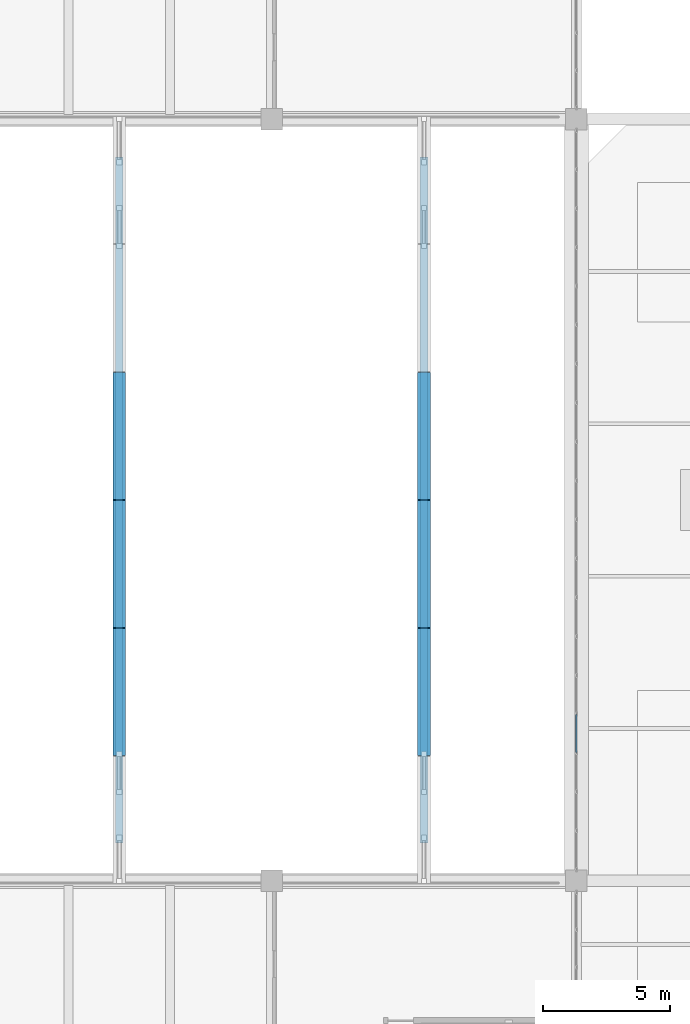
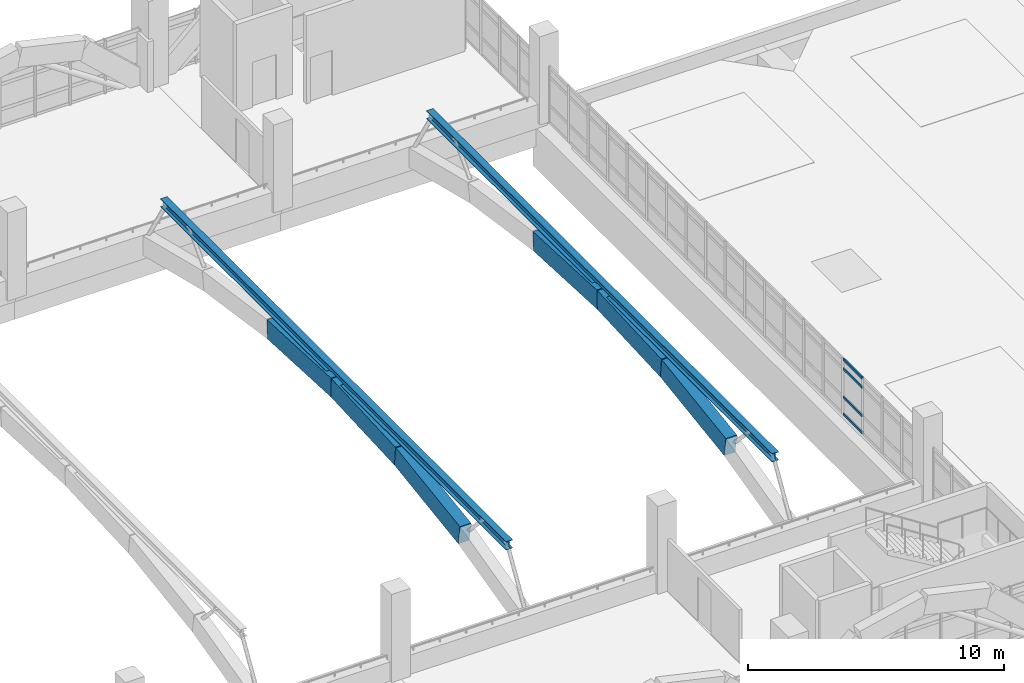
# One storey, part 42 of 161: 6 beams, 6 members, 1 element without a shape of its own.
"""IFC4 building model written with IfcOpenShell, lengths in metres."""

from ifc_helpers import new_model, si_unit, direction, frame, origin, origin_2d, place, context, subcontext, project, spatial, rectangle, hollow_rectangle, i_section, extrude, material, layer, layer_set, material_profile, profile_set, type_object, element, aggregate, save


model = new_model("IFC4")

# Units and contexts
model_context = context("Model", 3, precision=1e-05, world=origin(), true_north=direction((0.0, 1.0)))
body_context = subcontext(model_context, "Body", "Model", "MODEL_VIEW")
ifc_project = project(units=[si_unit("LENGTHUNIT", "METRE"), si_unit("AREAUNIT", "SQUARE_METRE"), si_unit("VOLUMEUNIT", "CUBIC_METRE"), si_unit("PLANEANGLEUNIT", "RADIAN"), si_unit("MASSUNIT", "GRAM", prefix="KILO")], contexts=[model_context])

# Site, building, storey
site_placement = place(None, origin())
site = spatial("IfcSite", under=ifc_project, at=site_placement, CompositionType="ELEMENT")
building_placement = place(site_placement, origin())
building = spatial("IfcBuilding", under=site, at=building_placement, Name="Mersad Railyard Sports Hall", CompositionType="ELEMENT")
storey_placement = place(building_placement, frame((0.0, 0.0, 4.800048828125)))
storey = spatial("IfcBuildingStorey", under=building, at=storey_placement, Name="L01", CompositionType="ELEMENT", Elevation=4.800048828125)

# Curtain wall, members
ifc_material_1 = material(Name="Aluminium 6063-T6", Category="aluminium")
ifc_layer = layer(ifc_material_1, 0.159912109375)
ifc_layer_set = layer_set([ifc_layer], Name="Aluminium 6063-T6")
curtain_wall_type = type_object("IfcCurtainWallType", Name="ARC-CW-CW05", PredefinedType="USERDEFINED", material=ifc_layer_set)
curtain_wall_placement = place(storey_placement, origin())
curtain_wall = element("IfcCurtainWall", 1, at=curtain_wall_placement, inside=storey, type_object=curtain_wall_type, Name="Curtain wall CW05-0027", ObjectType="CURTAIN WALL", PredefinedType="USERDEFINED")
ifc_material_profile_1 = material_profile(ifc_material_1, hollow_rectangle(XDim=0.06005859375, YDim=0.1201171875, WallThickness=0.00390625, at=origin_2d()), Name="AL TRANSOM 60x120x4")
ifc_profile_set_1 = profile_set([ifc_material_profile_1], Name="Aluminium 6063-T6")
member_type_1 = type_object("IfcMemberType", Name="ARC-CW-TRN01", PredefinedType="USERDEFINED", material=ifc_profile_set_1)
member_1_placement = place(storey_placement, frame((91.0, 20.053466796875, 0.0400390625), z_axis=(0.0, -1.0, 0.0), x_axis=(1.0, 0.0, 0.0)))
member_1 = element("IfcMember", 2, at=member_1_placement, type_object=member_type_1, Name="CW05 Transom 1-16", ObjectType="TRANSOM", PredefinedType="USERDEFINED", context=body_context, shape_type="SweptSolid", body=[
    extrude(hollow_rectangle(XDim=0.06005859375, YDim=0.1201171875, WallThickness=0.00390625, at=origin_2d()), origin(), (0.0, 0.0, 1.0), 1.4921875),
])
member_2_placement = place(storey_placement, frame((91.0, 20.053466796875, 0.849853515625), z_axis=(0.0, -1.0, 0.0), x_axis=(1.0, 0.0, 0.0)))
member_2 = element("IfcMember", 3, at=member_2_placement, type_object=member_type_1, Name="CW05 Transom 2-16", ObjectType="TRANSOM", PredefinedType="USERDEFINED", context=body_context, shape_type="SweptSolid", body=[
    extrude(hollow_rectangle(XDim=0.06005859375, YDim=0.1201171875, WallThickness=0.00390625, at=origin_2d()), origin(), (0.0, 0.0, 1.0), 1.4921875),
])
member_3_placement = place(storey_placement, frame((91.0, 20.053466796875, 2.199951171875), z_axis=(0.0, -1.0, 0.0), x_axis=(1.0, 0.0, 0.0)))
member_3 = element("IfcMember", 4, at=member_3_placement, type_object=member_type_1, Name="CW05 Transom 3-16", ObjectType="TRANSOM", PredefinedType="USERDEFINED", context=body_context, shape_type="SweptSolid", body=[
    extrude(hollow_rectangle(XDim=0.06005859375, YDim=0.1201171875, WallThickness=0.00390625, at=origin_2d()), origin(), (0.0, 0.0, 1.0), 1.4921875),
])
member_4_placement = place(storey_placement, frame((91.0, 20.053466796875, 2.639892578125), z_axis=(0.0, -1.0, 0.0), x_axis=(1.0, 0.0, 0.0)))
member_4 = element("IfcMember", 5, at=member_4_placement, type_object=member_type_1, Name="CW05 Transom 4-16", ObjectType="TRANSOM", PredefinedType="USERDEFINED", context=body_context, shape_type="SweptSolid", body=[
    extrude(hollow_rectangle(XDim=0.06005859375, YDim=0.1201171875, WallThickness=0.00390625, at=origin_2d()), origin(), (0.0, 0.0, 1.0), 1.4921875),
])
aggregate(curtain_wall, [member_1, member_2, member_3, member_4])

# Beams
ifc_material_2 = material(Name="Architectural concrete C50/60", Category="concrete")
ifc_material_profile_2 = material_profile(ifc_material_2, rectangle(XDim=0.5, YDim=0.89990234375, at=origin_2d()), Name="VR 500x900")
ifc_profile_set_2 = profile_set([ifc_material_profile_2], Name="Architectural concrete C50/60")
beam_type = type_object("IfcBeamType", Name="STR-BM-VR02", PredefinedType="BEAM", material=ifc_profile_set_2)
beam_1_placement = place(storey_placement, frame((73.0, 18.5, 1.579345703125), z_axis=(0.0, 0.989516876333, 0.144417282391), x_axis=(-1.0, 0.0, 0.0)))
element("IfcBeam", 6, at=beam_1_placement, inside=storey, type_object=beam_type, Name="Beam VR02-0547", PredefinedType="BEAM", context=body_context, shape_type="SweptSolid", body=[
    extrude(rectangle(XDim=0.5, YDim=0.89990234375, at=origin_2d()), origin(), (0.0, 0.0, 1.0), 5.052978515625),
])
for number, where, z_axis, x_axis, name in (
    (7, (73.0, 23.5, 2.30908203125), (0.0, 0.998840719075, 0.048137489733), (-1.0, 0.0, 0.0), "Beam VR02-0548"),
    (8, (73.0, 28.5, 2.550048828125), (0.0, 0.998840719075, -0.048137489733), (-1.0, 0.0, 0.0), "Beam VR02-0549"),
):
    element("IfcBeam", number, at=place(storey_placement, frame(where, z_axis=z_axis, x_axis=x_axis)), inside=storey, type_object=beam_type, Name=name, PredefinedType="BEAM", context=body_context, shape_type="SweptSolid", body=[
        extrude(rectangle(XDim=0.5, YDim=0.89990234375, at=origin_2d()), origin(), (0.0, 0.0, 1.0), 5.005859375),
    ])
beam_2_placement = place(storey_placement, frame((85.0, 18.5, 1.579345703125), z_axis=(0.0, 0.989516876333, 0.144417282391), x_axis=(-1.0, 0.0, 0.0)))
element("IfcBeam", 9, at=beam_2_placement, inside=storey, type_object=beam_type, Name="Beam VR02-0555", PredefinedType="BEAM", context=body_context, shape_type="SweptSolid", body=[
    extrude(rectangle(XDim=0.5, YDim=0.89990234375, at=origin_2d()), origin(), (0.0, 0.0, 1.0), 5.052978515625),
])
for number, where, z_axis, x_axis, name in (
    (10, (85.0, 23.5, 2.30908203125), (0.0, 0.998840719075, 0.048137489733), (-1.0, 0.0, 0.0), "Beam VR02-0556"),
    (11, (85.0, 28.5, 2.550048828125), (0.0, 0.998840719075, -0.048137489733), (-1.0, 0.0, 0.0), "Beam VR02-0557"),
):
    element("IfcBeam", number, at=place(storey_placement, frame(where, z_axis=z_axis, x_axis=x_axis)), inside=storey, type_object=beam_type, Name=name, PredefinedType="BEAM", context=body_context, shape_type="SweptSolid", body=[
        extrude(rectangle(XDim=0.5, YDim=0.89990234375, at=origin_2d()), origin(), (0.0, 0.0, 1.0), 5.005859375),
    ])

# Members
ifc_material_3 = material(Name="Steel S355", Category="steel")
ifc_material_profile_3 = material_profile(ifc_material_3, i_section(OverallWidth=0.300048828125, OverallDepth=0.39990234375, WebThickness=0.013427734375, FlangeThickness=0.02392578125, at=origin_2d()), Name="HEB 400")
ifc_profile_set_3 = profile_set([ifc_material_profile_3], Name="Steel S355")
member_type_2 = type_object("IfcMemberType", Name="STR-MEM-CH03", PredefinedType="CHORD", material=ifc_profile_set_3)
for number, where, z_axis, x_axis, name in (
    (12, (73.0, 15.0, 3.14990234375), (0.0, 1.0, 0.0), (-1.0, 0.0, 0.0), "Structural member CH03-0084"),
    (13, (85.0, 15.0, 3.14990234375), (0.0, 1.0, 0.0), (-1.0, 0.0, 0.0), "Structural member CH03-0089"),
):
    element("IfcMember", number, at=place(storey_placement, frame(where, z_axis=z_axis, x_axis=x_axis)), inside=storey, type_object=member_type_2, Name=name, PredefinedType="CHORD", context=body_context, shape_type="SweptSolid", body=[
        extrude(i_section(OverallWidth=0.300048828125, OverallDepth=0.39990234375, WebThickness=0.013427734375, FlangeThickness=0.02392578125, at=origin_2d()), origin(), (0.0, 0.0, 1.0), 27.0),
    ])

save(model, "model.ifc")
